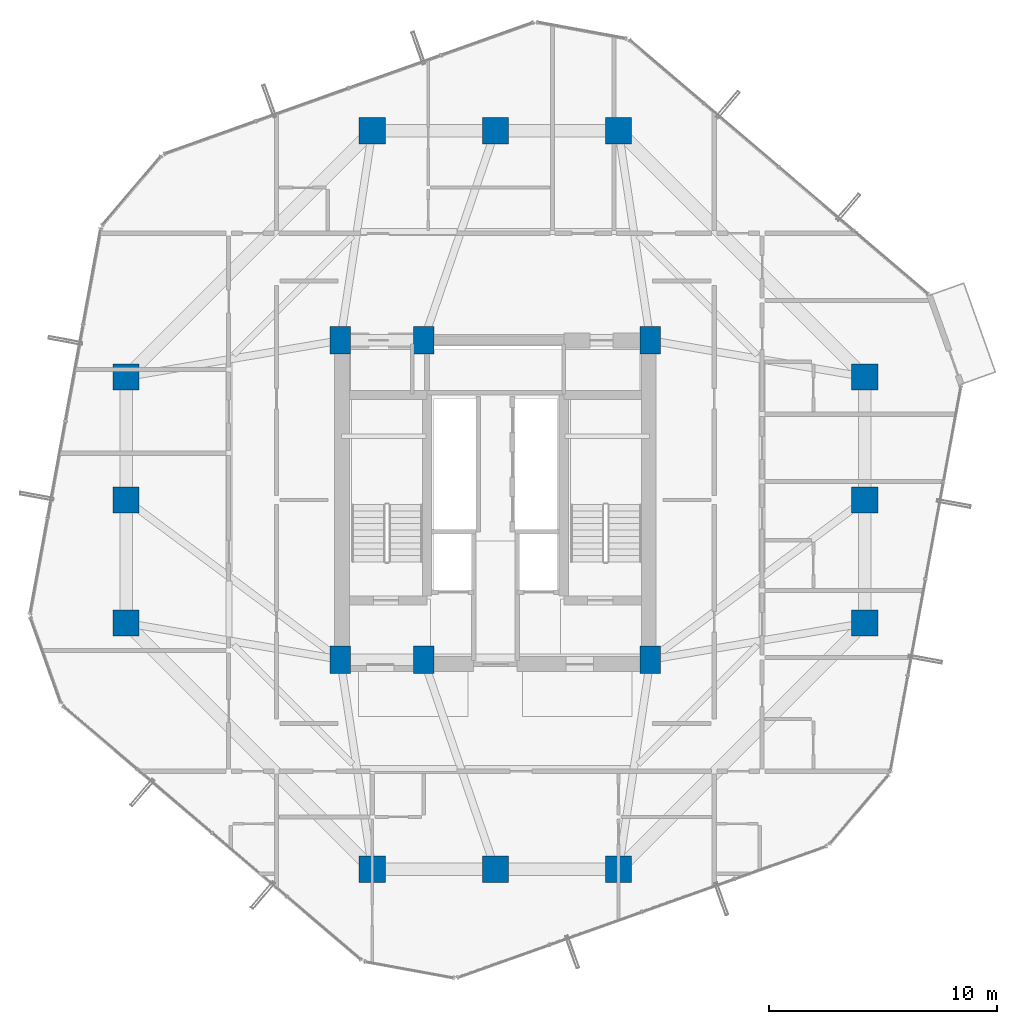
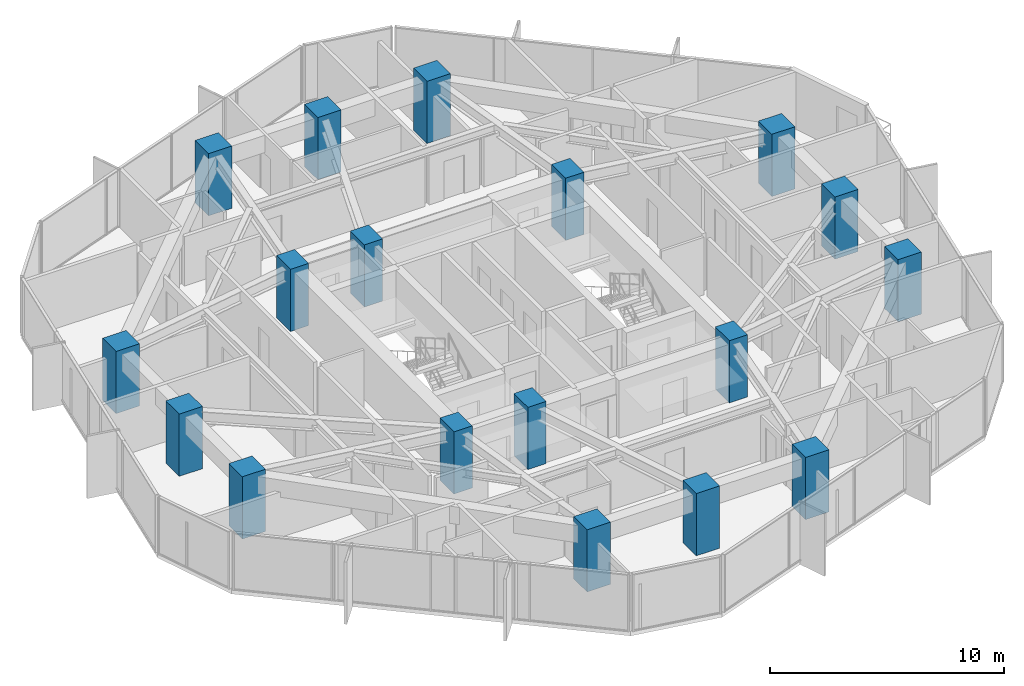
# One storey, part 1 of 33: 18 columns.
"""IFC4 building model written with IfcOpenShell, lengths in metres."""

from ifc_helpers import new_model, si_unit, direction, frame, origin, origin_2d, place, context, subcontext, project, spatial, rectangle, extrude, material, material_profile, profile_set, type_object, element, save


model = new_model("IFC4")

# Units and contexts
model_context = context("Model", 3, precision=1e-05, world=origin(), true_north=direction((0.0, 1.0)))
body_context = subcontext(model_context, "Body", "Model", "MODEL_VIEW")
ifc_project = project(units=[si_unit("LENGTHUNIT", "METRE"), si_unit("AREAUNIT", "SQUARE_METRE"), si_unit("VOLUMEUNIT", "CUBIC_METRE"), si_unit("PLANEANGLEUNIT", "RADIAN"), si_unit("MASSUNIT", "GRAM", prefix="KILO")], contexts=[model_context])

# Site, building, storey
site_placement = place(None, origin())
site = spatial("IfcSite", under=ifc_project, at=site_placement, CompositionType="ELEMENT")
building_placement = place(site_placement, origin())
building = spatial("IfcBuilding", under=site, at=building_placement, Name="Veraguas Prism Commons", CompositionType="ELEMENT")
storey_placement = place(building_placement, frame((0.0, 0.0, 92.699951171875)))
storey = spatial("IfcBuildingStorey", under=building, at=storey_placement, Name="L25", CompositionType="ELEMENT", Elevation=92.699951171875)

# Columns
ifc_material = material(Name="Concrete C60/75", Category="concrete")
ifc_material_profile_1 = material_profile(ifc_material, rectangle(XDim=1.14990234375, YDim=1.14990234375, at=origin_2d()), Name="RC1150X1150")
ifc_profile_set_1 = profile_set([ifc_material_profile_1], Name="Concrete C60/75")
column_type_1 = type_object("IfcColumnType", Name="Column Tube Z2 RC 1150x1150", PredefinedType="COLUMN", material=ifc_profile_set_1)
for number, where, z_axis, x_axis, name in (
    (1, (40.199951171875, 18.60009765625, 0.0), (0.0, 0.0, 1.0), (1.0, 0.0, 0.0), "Tower Perimeter Column L25-TB01"),
    (2, (40.199951171875, 24.0, 0.0), (0.0, 0.0, 1.0), (1.0, 0.0, 0.0), "Tower Perimeter Column L25-TB02"),
    (3, (40.199951171875, 29.39990234375, 0.0), (0.0, 0.0, 1.0), (1.0, 0.0, 0.0), "Tower Perimeter Column L25-TB03"),
    (4, (29.39990234375, 40.199951171875, 0.0), (0.0, 0.0, 1.0), (1.0, 0.0, 0.0), "Tower Perimeter Column L25-TB04"),
    (5, (24.0, 40.199951171875, 0.0), (0.0, 0.0, 1.0), (1.0, 0.0, 0.0), "Tower Perimeter Column L25-TB05"),
    (6, (18.60009765625, 40.199951171875, 0.0), (0.0, 0.0, 1.0), (1.0, 0.0, 0.0), "Tower Perimeter Column L25-TB06"),
    (7, (7.800048828125, 29.39990234375, 0.0), (0.0, 0.0, 1.0), (1.0, 0.0, 0.0), "Tower Perimeter Column L25-TB07"),
    (8, (7.800048828125, 24.0, 0.0), (0.0, 0.0, 1.0), (1.0, 0.0, 0.0), "Tower Perimeter Column L25-TB08"),
    (9, (7.800048828125, 18.60009765625, 0.0), (0.0, 0.0, 1.0), (1.0, 0.0, 0.0), "Tower Perimeter Column L25-TB09"),
    (10, (18.60009765625, 7.800048828125, 0.0), (0.0, 0.0, 1.0), (1.0, 0.0, 0.0), "Tower Perimeter Column L25-TB10"),
    (11, (24.0, 7.800048828125, 0.0), (0.0, 0.0, 1.0), (1.0, 0.0, 0.0), "Tower Perimeter Column L25-TB11"),
    (12, (29.39990234375, 7.800048828125, 0.0), (0.0, 0.0, 1.0), (1.0, 0.0, 0.0), "Tower Perimeter Column L25-TB12"),
):
    element("IfcColumn", number, at=place(storey_placement, frame(where, z_axis=z_axis, x_axis=x_axis)), inside=storey, type_object=column_type_1, Name=name, PredefinedType="COLUMN", context=body_context, shape_type="SweptSolid", body=[
        extrude(rectangle(XDim=1.14990234375, YDim=1.14990234375, at=origin_2d()), origin(), (0.0, 0.0, 1.0), 3.25),
    ])
ifc_material_profile_2 = material_profile(ifc_material, rectangle(XDim=0.89990234375, YDim=1.199951171875, at=origin_2d()), Name="RC900X1200")
ifc_profile_set_2 = profile_set([ifc_material_profile_2], Name="Concrete C60/75")
column_type_2 = type_object("IfcColumnType", Name="Pilaster Core Lower RC 900x1200", PredefinedType="PILASTER", material=ifc_profile_set_2)
for number, where, z_axis, x_axis, name in (
    (13, (17.199951171875, 17.0, 0.0), (0.0, 0.0, 1.0), (1.0, 0.0, 0.0), "Core Pilaster Column L25-CR1"),
    (14, (20.85009765625, 17.0, 0.0), (0.0, 0.0, 1.0), (1.0, 0.0, 0.0), "Core Pilaster Column L25-CR2"),
    (15, (30.800048828125, 17.0, 0.0), (0.0, 0.0, 1.0), (1.0, 0.0, 0.0), "Core Pilaster Column L25-CR3"),
    (16, (17.199951171875, 31.0, 0.0), (0.0, 0.0, 1.0), (1.0, 0.0, 0.0), "Core Pilaster Column L25-CR4"),
    (17, (20.85009765625, 31.0, 0.0), (0.0, 0.0, 1.0), (1.0, 0.0, 0.0), "Core Pilaster Column L25-CR5"),
    (18, (30.800048828125, 31.0, 0.0), (0.0, 0.0, 1.0), (1.0, 0.0, 0.0), "Core Pilaster Column L25-CR6"),
):
    element("IfcColumn", number, at=place(storey_placement, frame(where, z_axis=z_axis, x_axis=x_axis)), inside=storey, type_object=column_type_2, Name=name, PredefinedType="PILASTER", context=body_context, shape_type="SweptSolid", body=[
        extrude(rectangle(XDim=0.89990234375, YDim=1.199951171875, at=origin_2d()), origin(), (0.0, 0.0, 1.0), 3.25),
    ])

save(model, "model.ifc")
